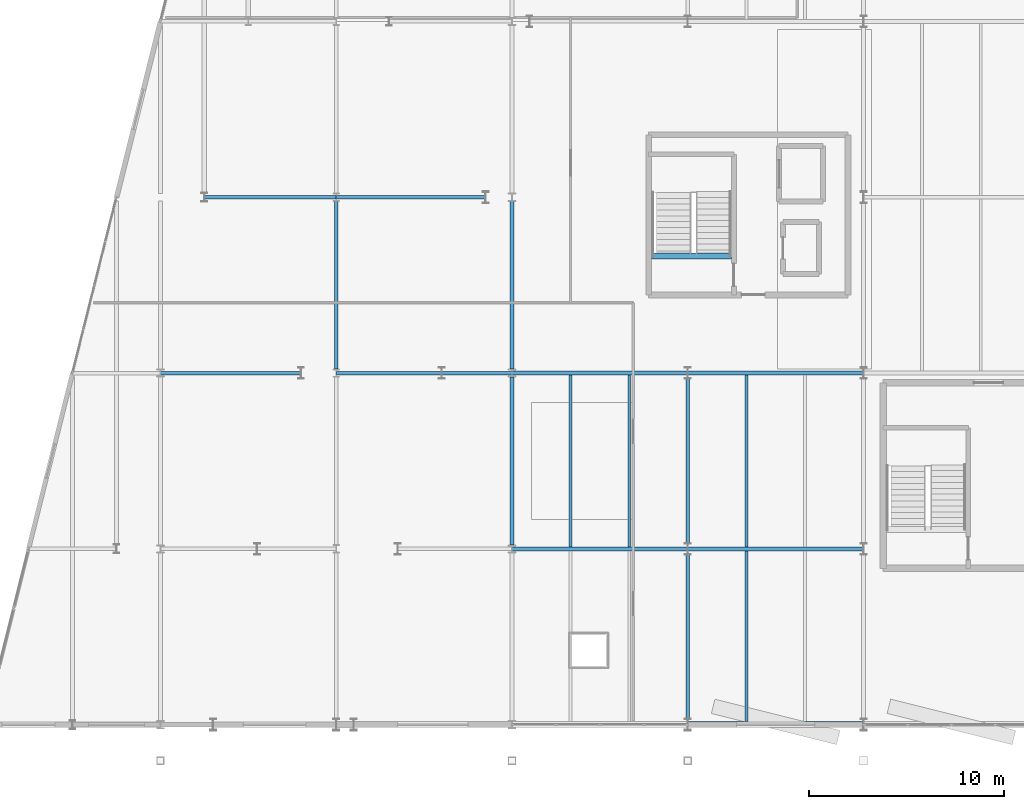
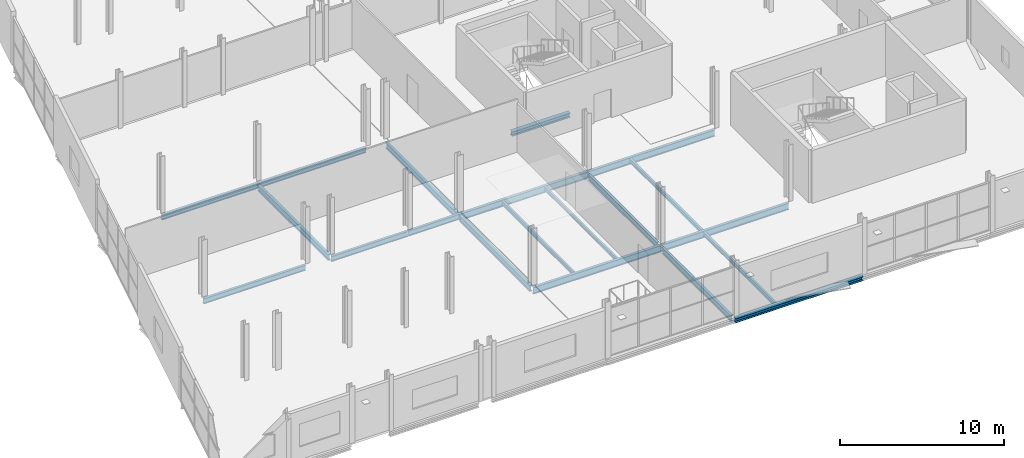
# One storey, part 80 of 132: 20 beams.
"""IFC4 building model written with IfcOpenShell, lengths in metres."""

from ifc_helpers import new_model, si_unit, direction, frame, origin, origin_2d, place, context, subcontext, project, spatial, i_section, extrude, material, material_profile, profile_set, type_object, element, save


model = new_model("IFC4")

# Units and contexts
model_context = context("Model", 3, precision=1e-05, world=origin(), true_north=direction((0.0, 1.0)))
body_context = subcontext(model_context, "Body", "Model", "MODEL_VIEW")
ifc_project = project(units=[si_unit("LENGTHUNIT", "METRE"), si_unit("AREAUNIT", "SQUARE_METRE"), si_unit("VOLUMEUNIT", "CUBIC_METRE"), si_unit("PLANEANGLEUNIT", "RADIAN"), si_unit("MASSUNIT", "GRAM", prefix="KILO")], contexts=[model_context])

# Site, building, storey
site_placement = place(None, origin())
site = spatial("IfcSite", under=ifc_project, at=site_placement, CompositionType="ELEMENT")
building_placement = place(site_placement, origin())
building = spatial("IfcBuilding", under=site, at=building_placement, Name="Deido Ridge Mobility Hub", CompositionType="ELEMENT")
storey_placement = place(building_placement, frame((0.0, 0.0, 8.39990234375)))
storey = spatial("IfcBuildingStorey", under=building, at=storey_placement, Name="L02", CompositionType="ELEMENT", Elevation=8.39990234375)

# Beams
ifc_material = material(Name="Steel S355J2 EN 10025-2", Category="steel")
ifc_material_profile_1 = material_profile(ifc_material, i_section(OverallWidth=0.300048828125, OverallDepth=0.330078125, WebThickness=0.009521484375, FlangeThickness=0.0166015625, FilletRadius=0.027099609375, at=origin_2d()), Name="HEA 340")
ifc_profile_set_1 = profile_set([ifc_material_profile_1], Name="Steel S355J2 EN 10025-2")
beam_type_1 = type_object("IfcBeamType", Name="BM-HEA340", PredefinedType="BEAM", material=ifc_profile_set_1)
beam_1_placement = place(storey_placement, frame((151.14990234375, 24.0, -0.419921875), z_axis=(1.0, 0.0, 0.0), x_axis=(0.0, 1.0, 0.0)))
element("IfcBeam", 1, at=beam_1_placement, inside=storey, type_object=beam_type_1, Name="C3 stair landing trimmer beam B6", PredefinedType="BEAM", context=body_context, shape_type="SweptSolid", body=[
    extrude(i_section(OverallWidth=0.300048828125, OverallDepth=0.330078125, WebThickness=0.009521484375, FlangeThickness=0.0166015625, FilletRadius=0.027099609375, at=origin_2d()), origin(), (0.0, 0.0, 1.0), 4.085205078125),
])
ifc_material_profile_2 = material_profile(ifc_material, i_section(OverallWidth=0.179931640625, OverallDepth=0.39990234375, WebThickness=0.008544921875, FlangeThickness=0.013427734375, FilletRadius=0.02099609375, at=origin_2d()), Name="IPE 400")
ifc_profile_set_2 = profile_set([ifc_material_profile_2], Name="Steel S355J2 EN 10025-2")
beam_type_2 = type_object("IfcBeamType", Name="BM-IPE400", PredefinedType="BEAM", material=ifc_profile_set_2)
beam_2_placement = place(storey_placement, frame((126.0087890625, 18.0, -0.454833984375), z_axis=(1.0, 0.0, 0.0), x_axis=(0.0, 1.0, 0.0)))
element("IfcBeam", 2, at=beam_2_placement, inside=storey, type_object=beam_type_2, Name="Floor beam B5", PredefinedType="BEAM", context=body_context, shape_type="SweptSolid", body=[
    extrude(i_section(OverallWidth=0.179931640625, OverallDepth=0.39990234375, WebThickness=0.008544921875, FlangeThickness=0.013427734375, FilletRadius=0.02099609375, at=origin_2d()), origin(), (0.0, 0.0, 1.0), 7.18359375),
])
beam_3_placement = place(storey_placement, frame((135.0068359375, 18.0, -0.454833984375), z_axis=(1.0, 0.0, 0.0), x_axis=(0.0, 1.0, 0.0)))
element("IfcBeam", 3, at=beam_3_placement, inside=storey, type_object=beam_type_2, Name="Floor beam B5", PredefinedType="BEAM", context=body_context, shape_type="SweptSolid", body=[
    extrude(i_section(OverallWidth=0.179931640625, OverallDepth=0.39990234375, WebThickness=0.008544921875, FlangeThickness=0.013427734375, FilletRadius=0.02099609375, at=origin_2d()), origin(), (0.0, 0.0, 1.0), 5.385498046875),
])
beam_4_placement = place(storey_placement, frame((140.40771484375, 18.0, -0.454833984375), z_axis=(1.0, 0.0, 0.0), x_axis=(0.0, 1.0, 0.0)))
element("IfcBeam", 4, at=beam_4_placement, inside=storey, type_object=beam_type_2, Name="Floor beam B5", PredefinedType="BEAM", context=body_context, shape_type="SweptSolid", body=[
    extrude(i_section(OverallWidth=0.179931640625, OverallDepth=0.39990234375, WebThickness=0.008544921875, FlangeThickness=0.013427734375, FilletRadius=0.02099609375, at=origin_2d()), origin(), (0.0, 0.0, 1.0), 3.58349609375),
])
beam_5_placement = place(storey_placement, frame((128.257080078125, 27.0, -0.454833984375), z_axis=(1.0, 0.0, 0.0), x_axis=(0.0, 1.0, 0.0)))
element("IfcBeam", 5, at=beam_5_placement, inside=storey, type_object=beam_type_2, Name="Floor beam B5", PredefinedType="BEAM", context=body_context, shape_type="SweptSolid", body=[
    extrude(i_section(OverallWidth=0.179931640625, OverallDepth=0.39990234375, WebThickness=0.008544921875, FlangeThickness=0.013427734375, FilletRadius=0.02099609375, at=origin_2d()), origin(), (0.0, 0.0, 1.0), 6.736083984375),
])
beam_6_placement = place(storey_placement, frame((135.0068359375, 27.0, -0.454833984375), z_axis=(1.0, 0.0, 0.0), x_axis=(0.0, 1.0, 0.0)))
element("IfcBeam", 6, at=beam_6_placement, inside=storey, type_object=beam_type_2, Name="Floor beam B5", PredefinedType="BEAM", context=body_context, shape_type="SweptSolid", body=[
    extrude(i_section(OverallWidth=0.179931640625, OverallDepth=0.39990234375, WebThickness=0.008544921875, FlangeThickness=0.013427734375, FilletRadius=0.02099609375, at=origin_2d()), origin(), (0.0, 0.0, 1.0), 7.635498046875),
])
ifc_material_profile_3 = material_profile(ifc_material, i_section(OverallWidth=0.18994140625, OverallDepth=0.449951171875, WebThickness=0.009521484375, FlangeThickness=0.0146484375, FilletRadius=0.02099609375, at=origin_2d()), Name="IPE 450")
ifc_profile_set_3 = profile_set([ifc_material_profile_3], Name="Steel S355J2 EN 10025-2")
beam_type_3 = type_object("IfcBeamType", Name="BM-IPE450", PredefinedType="BEAM", material=ifc_profile_set_3)
beam_7_placement = place(storey_placement, frame((135.0, 18.199951171875, -0.47998046875), z_axis=(0.0, 1.0, 0.0), x_axis=(-1.0, 0.0, 0.0)))
element("IfcBeam", 7, at=beam_7_placement, inside=storey, type_object=beam_type_3, Name="Floor beam B4", PredefinedType="BEAM", context=body_context, shape_type="SweptSolid", body=[
    extrude(i_section(OverallWidth=0.18994140625, OverallDepth=0.449951171875, WebThickness=0.009521484375, FlangeThickness=0.0146484375, FilletRadius=0.02099609375, at=origin_2d()), origin(), (0.0, 0.0, 1.0), 8.60009765625),
])
for number, where, z_axis, x_axis, name in (
    (8, (144.0, 9.196533203125, -0.47998046875), (0.0, 1.0, 0.0), (-1.0, 0.0, 0.0), "Floor beam B4"),
    (9, (144.0, 18.196533203125, -0.47998046875), (0.0, 1.0, 0.0), (-1.0, 0.0, 0.0), "Floor beam B4"),
):
    element("IfcBeam", number, at=place(storey_placement, frame(where, z_axis=z_axis, x_axis=x_axis)), inside=storey, type_object=beam_type_3, Name=name, PredefinedType="BEAM", context=body_context, shape_type="SweptSolid", body=[
        extrude(i_section(OverallWidth=0.18994140625, OverallDepth=0.449951171875, WebThickness=0.009521484375, FlangeThickness=0.0146484375, FilletRadius=0.02099609375, at=origin_2d()), origin(), (0.0, 0.0, 1.0), 8.60693359375),
    ])
for number, where, z_axis, x_axis, name in (
    (10, (153.0, 0.300048828125, -0.47998046875), (0.0, 1.0, 0.0), (-1.0, 0.0, 0.0), "Floor beam B4"),
    (11, (153.0, 9.300048828125, -0.47998046875), (0.0, 1.0, 0.0), (-1.0, 0.0, 0.0), "Floor beam B4"),
):
    element("IfcBeam", number, at=place(storey_placement, frame(where, z_axis=z_axis, x_axis=x_axis)), inside=storey, type_object=beam_type_3, Name=name, PredefinedType="BEAM", context=body_context, shape_type="SweptSolid", body=[
        extrude(i_section(OverallWidth=0.18994140625, OverallDepth=0.449951171875, WebThickness=0.009521484375, FlangeThickness=0.0146484375, FilletRadius=0.02099609375, at=origin_2d()), origin(), (0.0, 0.0, 1.0), 8.39990234375),
    ])
ifc_material_profile_4 = material_profile(ifc_material, i_section(OverallWidth=0.199951171875, OverallDepth=0.5, WebThickness=0.01025390625, FlangeThickness=0.01611328125, FilletRadius=0.02099609375, at=origin_2d()), Name="IPE 500")
ifc_profile_set_4 = profile_set([ifc_material_profile_4], Name="Steel S355J2 EN 10025-2")
beam_type_4 = type_object("IfcBeamType", Name="BM-IPE500", PredefinedType="BEAM", material=ifc_profile_set_4)
beam_8_placement = place(storey_placement, frame((144.0087890625, 18.0, -0.5048828125), z_axis=(1.0, 0.0, 0.0), x_axis=(0.0, 1.0, 0.0)))
element("IfcBeam", 12, at=beam_8_placement, inside=storey, type_object=beam_type_4, Name="Floor beam B3", PredefinedType="BEAM", context=body_context, shape_type="SweptSolid", body=[
    extrude(i_section(OverallWidth=0.199951171875, OverallDepth=0.5, WebThickness=0.01025390625, FlangeThickness=0.01611328125, FilletRadius=0.02099609375, at=origin_2d()), origin(), (0.0, 0.0, 1.0), 8.9833984375),
])
beam_9_placement = place(storey_placement, frame((153.0078125, 18.0, -0.5048828125), z_axis=(1.0, 0.0, 0.0), x_axis=(0.0, 1.0, 0.0)))
element("IfcBeam", 13, at=beam_9_placement, inside=storey, type_object=beam_type_4, Name="Floor beam B3", PredefinedType="BEAM", context=body_context, shape_type="SweptSolid", body=[
    extrude(i_section(OverallWidth=0.199951171875, OverallDepth=0.5, WebThickness=0.01025390625, FlangeThickness=0.01611328125, FilletRadius=0.02099609375, at=origin_2d()), origin(), (0.0, 0.0, 1.0), 8.984375),
])
beam_10_placement = place(storey_placement, frame((144.0087890625, 9.0, -0.5048828125), z_axis=(1.0, 0.0, 0.0), x_axis=(0.0, 1.0, 0.0)))
element("IfcBeam", 14, at=beam_10_placement, inside=storey, type_object=beam_type_4, Name="Floor beam B3", PredefinedType="BEAM", context=body_context, shape_type="SweptSolid", body=[
    extrude(i_section(OverallWidth=0.199951171875, OverallDepth=0.5, WebThickness=0.01025390625, FlangeThickness=0.01611328125, FilletRadius=0.02099609375, at=origin_2d()), origin(), (0.0, 0.0, 1.0), 8.9833984375),
])
beam_11_placement = place(storey_placement, frame((153.0078125, 9.0, -0.5048828125), z_axis=(1.0, 0.0, 0.0), x_axis=(0.0, 1.0, 0.0)))
element("IfcBeam", 15, at=beam_11_placement, inside=storey, type_object=beam_type_4, Name="Floor beam B3", PredefinedType="BEAM", context=body_context, shape_type="SweptSolid", body=[
    extrude(i_section(OverallWidth=0.199951171875, OverallDepth=0.5, WebThickness=0.01025390625, FlangeThickness=0.01611328125, FilletRadius=0.02099609375, at=origin_2d()), origin(), (0.0, 0.0, 1.0), 8.984375),
])
ifc_material_profile_5 = material_profile(ifc_material, i_section(OverallWidth=0.135009765625, OverallDepth=0.27001953125, WebThickness=0.006591796875, FlangeThickness=0.01025390625, FilletRadius=0.014892578125, at=origin_2d()), Name="IPE 270")
ifc_profile_set_5 = profile_set([ifc_material_profile_5], Name="Steel S355J2 EN 10025-2")
beam_type_5 = type_object("IfcBeamType", Name="JST-IPE270", PredefinedType="JOIST", material=ifc_profile_set_5)
beam_12_placement = place(storey_placement, frame((150.0, 9.10009765625, -0.389892578125), z_axis=(0.0, 1.0, 0.0), x_axis=(-1.0, 0.0, 0.0)))
element("IfcBeam", 16, at=beam_12_placement, inside=storey, type_object=beam_type_5, Name="Composite joist J4", PredefinedType="JOIST", context=body_context, shape_type="SweptSolid", body=[
    extrude(i_section(OverallWidth=0.135009765625, OverallDepth=0.27001953125, WebThickness=0.006591796875, FlangeThickness=0.01025390625, FilletRadius=0.014892578125, at=origin_2d()), origin(), (0.0, 0.0, 1.0), 8.7998046875),
])
ifc_material_profile_6 = material_profile(ifc_material, i_section(OverallWidth=0.14990234375, OverallDepth=0.300048828125, WebThickness=0.007080078125, FlangeThickness=0.0107421875, FilletRadius=0.014892578125, at=origin_2d()), Name="IPE 300")
ifc_profile_set_6 = profile_set([ifc_material_profile_6], Name="Steel S355J2 EN 10025-2")
beam_type_6 = type_object("IfcBeamType", Name="JST-IPE300", PredefinedType="JOIST", material=ifc_profile_set_6)
beam_13_placement = place(storey_placement, frame((156.0, 0.14990234375, -0.40478515625), z_axis=(0.0, 1.0, 0.0), x_axis=(-1.0, 0.0, 0.0)))
element("IfcBeam", 17, at=beam_13_placement, inside=storey, type_object=beam_type_6, Name="Composite joist J3", PredefinedType="JOIST", context=body_context, shape_type="SweptSolid", body=[
    extrude(i_section(OverallWidth=0.14990234375, OverallDepth=0.300048828125, WebThickness=0.007080078125, FlangeThickness=0.0107421875, FilletRadius=0.014892578125, at=origin_2d()), origin(), (0.0, 0.0, 1.0), 8.75),
])
for number, where, z_axis, x_axis, name in (
    (18, (147.0, 9.10009765625, -0.40478515625), (0.0, 1.0, 0.0), (-1.0, 0.0, 0.0), "Composite joist J3"),
    (19, (156.0, 9.10009765625, -0.40478515625), (0.0, 1.0, 0.0), (-1.0, 0.0, 0.0), "Composite joist J3"),
):
    element("IfcBeam", number, at=place(storey_placement, frame(where, z_axis=z_axis, x_axis=x_axis)), inside=storey, type_object=beam_type_6, Name=name, PredefinedType="JOIST", context=body_context, shape_type="SweptSolid", body=[
        extrude(i_section(OverallWidth=0.14990234375, OverallDepth=0.300048828125, WebThickness=0.007080078125, FlangeThickness=0.0107421875, FilletRadius=0.014892578125, at=origin_2d()), origin(), (0.0, 0.0, 1.0), 8.7998046875),
    ])
ifc_material_profile_7 = material_profile(ifc_material, i_section(OverallWidth=0.300048828125, OverallDepth=0.300048828125, WebThickness=0.010986328125, FlangeThickness=0.01904296875, FilletRadius=0.027099609375, at=origin_2d()), Name="HEB 300")
ifc_profile_set_7 = profile_set([ifc_material_profile_7], Name="Steel S355J2 EN 10025-2")
beam_type_7 = type_object("IfcBeamType", Name="SPD-HEB300", PredefinedType="SPANDREL", material=ifc_profile_set_7)
beam_14_placement = place(storey_placement, frame((153.0078125, 0.0, -0.40478515625), z_axis=(1.0, 0.0, 0.0), x_axis=(0.0, 1.0, 0.0)))
element("IfcBeam", 20, at=beam_14_placement, inside=storey, type_object=beam_type_7, Name="Floor beam SP1", PredefinedType="SPANDREL", context=body_context, shape_type="SweptSolid", body=[
    extrude(i_section(OverallWidth=0.300048828125, OverallDepth=0.300048828125, WebThickness=0.010986328125, FlangeThickness=0.01904296875, FilletRadius=0.027099609375, at=origin_2d()), origin(), (0.0, 0.0, 1.0), 8.984375),
])

save(model, "model.ifc")
